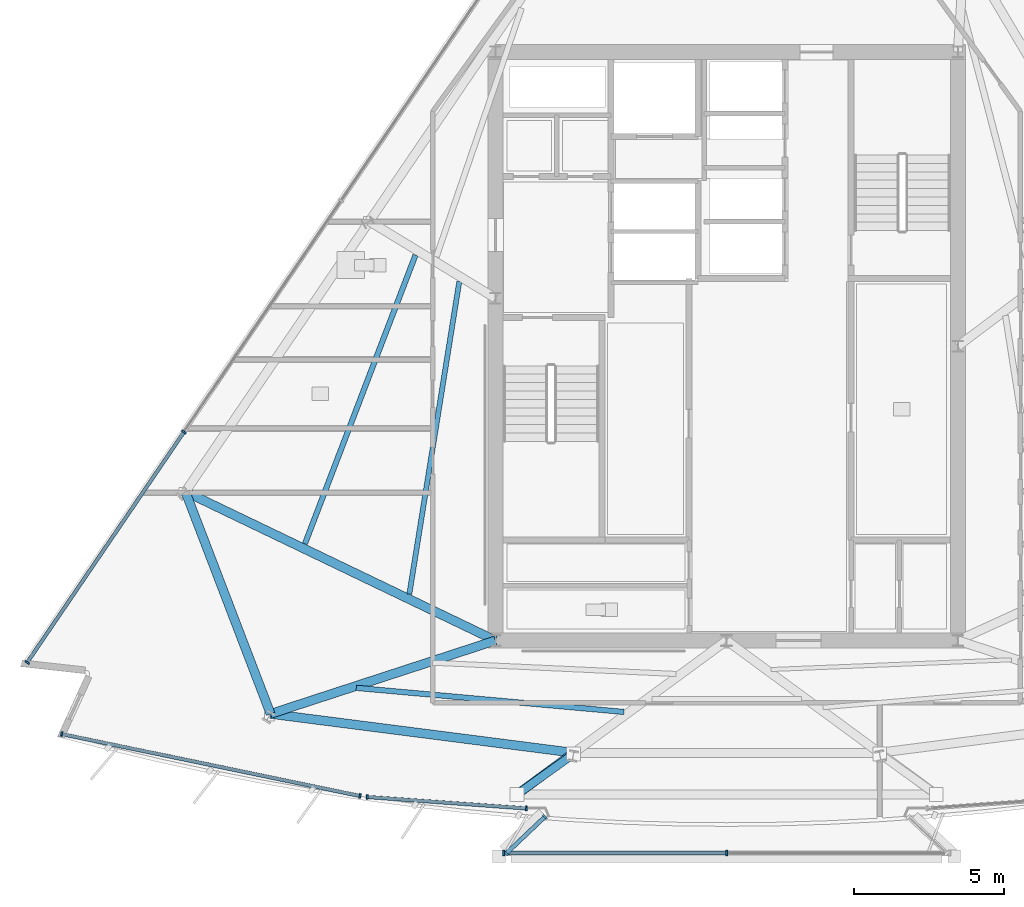
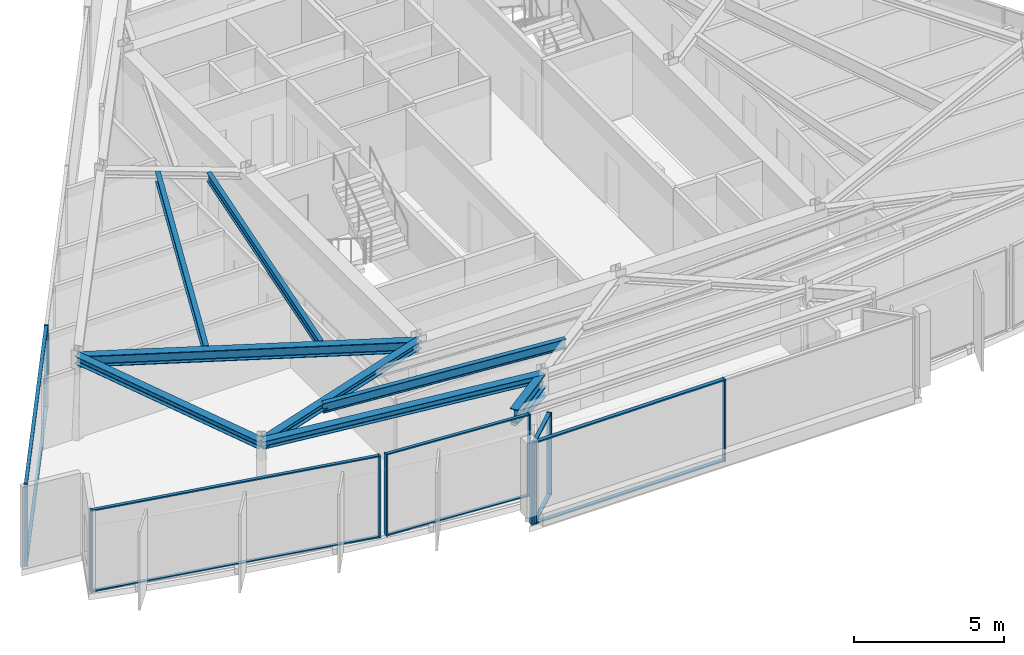
# One storey, part 2 of 13: 21 members, 8 beams, 5 elements without a shape of their own.
"""IFC4 building model written with IfcOpenShell, lengths in metres."""

from ifc_helpers import new_model, si_unit, direction, frame, origin, origin_2d, place, context, subcontext, project, spatial, rectangle, hollow_circle, i_section, extrude, material, material_profile, profile_set, type_object, element, aggregate, save


model = new_model("IFC4")

# Units and contexts
model_context = context("Model", 3, precision=1e-05, world=origin(), true_north=direction((0.0, 1.0)))
body_context = subcontext(model_context, "Body", "Model", "MODEL_VIEW")
ifc_project = project(units=[si_unit("LENGTHUNIT", "METRE"), si_unit("AREAUNIT", "SQUARE_METRE"), si_unit("VOLUMEUNIT", "CUBIC_METRE"), si_unit("PLANEANGLEUNIT", "RADIAN"), si_unit("MASSUNIT", "GRAM", prefix="KILO")], contexts=[model_context])

# Site, building, storey
site_placement = place(None, origin())
site = spatial("IfcSite", under=ifc_project, at=site_placement, CompositionType="ELEMENT")
building_placement = place(site_placement, origin())
building = spatial("IfcBuilding", under=site, at=building_placement, Name="Savorim Split Tower", CompositionType="ELEMENT")
storey_placement = place(building_placement, frame((0.0, 0.0, 283.199951171875)))
storey = spatial("IfcBuildingStorey", under=building, at=storey_placement, Name="L75", CompositionType="ELEMENT", Elevation=283.199951171875)

# Beams
ifc_material_1 = material(Name="Steel S355", Category="steel")
ifc_material_profile_1 = material_profile(ifc_material_1, i_section(OverallWidth=0.169921875, OverallDepth=0.360107421875, WebThickness=0.008056640625, FlangeThickness=0.0126953125, FilletRadius=0.01806640625, at=origin_2d()), Name="IPE 360")
ifc_profile_set_1 = profile_set([ifc_material_profile_1], Name="Steel S355")
beam_type_1 = type_object("IfcBeamType", Name="BM-JST-IPE360", PredefinedType="JOIST", material=ifc_profile_set_1)
beam_1_placement = place(storey_placement, frame((-8.900634765625, 2.558349609375, 3.170166015625), z_axis=(-0.157809898926, -0.987469511327, 0.0), x_axis=(0.987469511327, -0.157809898926, 0.0)))
element("IfcBeam", 1, at=beam_1_placement, inside=storey, type_object=beam_type_1, Name="L75 Secondary Floor Joist JS-11", PredefinedType="JOIST", context=body_context, shape_type="SweptSolid", body=[
    extrude(i_section(OverallWidth=0.169921875, OverallDepth=0.360107421875, WebThickness=0.008056640625, FlangeThickness=0.0126953125, FilletRadius=0.01806640625, at=origin_2d()), origin(), (0.0, 0.0, 1.0), 10.544677734375),
])
ifc_material_profile_2 = material_profile(ifc_material_1, i_section(OverallWidth=0.179931640625, OverallDepth=0.39990234375, WebThickness=0.008544921875, FlangeThickness=0.013427734375, FilletRadius=0.02099609375, at=origin_2d()), Name="IPE 400")
ifc_profile_set_2 = profile_set([ifc_material_profile_2], Name="Steel S355")
beam_type_2 = type_object("IfcBeamType", Name="BM-JST-IPE400", PredefinedType="JOIST", material=ifc_profile_set_2)
beam_2_placement = place(storey_placement, frame((-12.3310546875, -10.977294921875, 3.150146484375), z_axis=(0.995987237786, -0.089495375121, 0.0), x_axis=(0.089495375121, 0.995987237786, 0.0)))
element("IfcBeam", 2, at=beam_2_placement, inside=storey, type_object=beam_type_2, Name="L75 Secondary Floor Joist JS-01", PredefinedType="JOIST", context=body_context, shape_type="SweptSolid", body=[
    extrude(i_section(OverallWidth=0.179931640625, OverallDepth=0.39990234375, WebThickness=0.008544921875, FlangeThickness=0.013427734375, FilletRadius=0.02099609375, at=origin_2d()), origin(), (0.0, 0.0, 1.0), 8.950439453125),
])
beam_3_placement = place(storey_placement, frame((-10.359619140625, 3.436767578125, 3.150146484375), z_axis=(-0.357658266342, -0.933852538957, 0.0), x_axis=(0.933852538957, -0.357658266342, 0.0)))
element("IfcBeam", 3, at=beam_3_placement, inside=storey, type_object=beam_type_2, Name="L75 Secondary Floor Joist JS-10", PredefinedType="JOIST", context=body_context, shape_type="SweptSolid", body=[
    extrude(i_section(OverallWidth=0.179931640625, OverallDepth=0.39990234375, WebThickness=0.008544921875, FlangeThickness=0.013427734375, FilletRadius=0.02099609375, at=origin_2d()), origin(), (0.0, 0.0, 1.0), 10.2958984375),
])
ifc_material_profile_3 = material_profile(ifc_material_1, i_section(OverallWidth=0.300048828125, OverallDepth=0.300048828125, WebThickness=0.010986328125, FlangeThickness=0.01904296875, FilletRadius=0.027099609375, at=origin_2d()), Name="HEB 300")
ifc_profile_set_3 = profile_set([ifc_material_profile_3], Name="Steel S355")
beam_type_3 = type_object("IfcBeamType", Name="BM-PRI-HEB300", PredefinedType="BEAM", material=ifc_profile_set_3)
beam_4_placement = place(storey_placement, frame((-15.185302734375, -11.842041015625, 3.199951171875), z_axis=(0.950682542685, 0.310165605821, 0.0), x_axis=(-0.310165605821, 0.950682542685, 0.0)))
element("IfcBeam", 4, at=beam_4_placement, inside=storey, type_object=beam_type_3, Name="L75 Primary Floor Girder RG-01", PredefinedType="BEAM", context=body_context, shape_type="SweptSolid", body=[
    extrude(i_section(OverallWidth=0.300048828125, OverallDepth=0.300048828125, WebThickness=0.010986328125, FlangeThickness=0.01904296875, FilletRadius=0.027099609375, at=origin_2d()), origin(), (0.0, 0.0, 1.0), 7.873779296875),
])
ifc_material_profile_4 = material_profile(ifc_material_1, i_section(OverallWidth=0.300048828125, OverallDepth=0.449951171875, WebThickness=0.013916015625, FlangeThickness=0.02587890625, FilletRadius=0.027099609375, at=origin_2d()), Name="HEB 450")
ifc_profile_set_4 = profile_set([ifc_material_profile_4], Name="Steel S355")
beam_type_4 = type_object("IfcBeamType", Name="BM-PRI-HEB450", PredefinedType="BEAM", material=ifc_profile_set_4)
beam_5_placement = place(storey_placement, frame((-18.021484375, -4.444091796875, 3.125), z_axis=(0.901472807841, -0.432835738732, 0.0), x_axis=(0.432835738732, 0.901472807841, 0.0)))
element("IfcBeam", 5, at=beam_5_placement, inside=storey, type_object=beam_type_4, Name="L75 Primary Floor Girder RG-10", PredefinedType="BEAM", context=body_context, shape_type="SweptSolid", body=[
    extrude(i_section(OverallWidth=0.300048828125, OverallDepth=0.449951171875, WebThickness=0.013916015625, FlangeThickness=0.02587890625, FilletRadius=0.027099609375, at=origin_2d()), origin(), (0.0, 0.0, 1.0), 11.44970703125),
])
ifc_material_profile_5 = material_profile(ifc_material_1, i_section(OverallWidth=0.300048828125, OverallDepth=0.550048828125, WebThickness=0.014892578125, FlangeThickness=0.029052734375, FilletRadius=0.027099609375, at=origin_2d()), Name="HEB 550")
ifc_profile_set_5 = profile_set([ifc_material_profile_5], Name="Steel S355")
beam_type_5 = type_object("IfcBeamType", Name="BM-PRI-HEB550", PredefinedType="BEAM", material=ifc_profile_set_5)
beam_6_placement = place(storey_placement, frame((-5.08935546875, -13.138427734375, 3.074951171875), z_axis=(-0.805968804332, -0.59195801071, 0.0), x_axis=(0.59195801071, -0.805968804332, 0.0)))
element("IfcBeam", 6, at=beam_6_placement, inside=storey, type_object=beam_type_5, Name="L75 Cantilevered Lounge Rib 1", PredefinedType="BEAM", context=body_context, shape_type="SweptSolid", body=[
    extrude(i_section(OverallWidth=0.300048828125, OverallDepth=0.550048828125, WebThickness=0.014892578125, FlangeThickness=0.029052734375, FilletRadius=0.027099609375, at=origin_2d()), origin(), (0.0, 0.0, 1.0), 2.35009765625),
])
ifc_material_profile_6 = material_profile(ifc_material_1, i_section(OverallWidth=0.300048828125, OverallDepth=0.31005859375, WebThickness=0.009033203125, FlangeThickness=0.015380859375, FilletRadius=0.027099609375, at=origin_2d()), Name="HEA 320")
ifc_profile_set_6 = profile_set([ifc_material_profile_6], Name="Steel S355")
beam_type_6 = type_object("IfcBeamType", Name="BM-SPN-HEA320", PredefinedType="SPANDREL", material=ifc_profile_set_6)
beam_7_placement = place(storey_placement, frame((-15.185302734375, -11.842041015625, 3.195068359375), z_axis=(0.991856434449, -0.127360957293, 0.0), x_axis=(0.127360957293, 0.991856434449, 0.0)))
element("IfcBeam", 7, at=beam_7_placement, inside=storey, type_object=beam_type_6, Name="L75 Perimeter Spandrel Beam 1", PredefinedType="SPANDREL", context=body_context, shape_type="SweptSolid", body=[
    extrude(i_section(OverallWidth=0.300048828125, OverallDepth=0.31005859375, WebThickness=0.009033203125, FlangeThickness=0.015380859375, FilletRadius=0.027099609375, at=origin_2d()), origin(), (0.0, 0.0, 1.0), 10.178955078125),
])
beam_8_placement = place(storey_placement, frame((-18.021484375, -4.444091796875, 3.195068359375), z_axis=(0.357969146615, -0.933733414885, 0.0), x_axis=(0.933733414885, 0.357969146615, 0.0)))
element("IfcBeam", 8, at=beam_8_placement, inside=storey, type_object=beam_type_6, Name="L75 Perimeter Spandrel Beam 10", PredefinedType="SPANDREL", context=body_context, shape_type="SweptSolid", body=[
    extrude(i_section(OverallWidth=0.300048828125, OverallDepth=0.31005859375, WebThickness=0.009033203125, FlangeThickness=0.015380859375, FilletRadius=0.027099609375, at=origin_2d()), origin(), (0.0, 0.0, 1.0), 7.923095703125),
])

# Curtain wall, members
ifc_material_2 = material(Name="Dark Ceramic-Fritted Insulated Glass", Category="glass")
curtain_wall_type_1 = type_object("IfcCurtainWallType", Name="CW-TWR-FRIT-B", PredefinedType="NOTDEFINED", material=ifc_material_2)
curtain_wall_1_placement = place(storey_placement, origin())
curtain_wall_1 = element("IfcCurtainWall", 9, at=curtain_wall_1_placement, inside=storey, type_object=curtain_wall_type_1, Name="L75 Curtain Wall CW-L75-SF1A", PredefinedType="NOTDEFINED")
ifc_material_3 = material(Name="Charcoal Anodised Aluminium", Category="aluminium")
ifc_material_profile_7 = material_profile(ifc_material_3, rectangle(XDim=0.159912109375, YDim=0.06005859375, at=origin_2d()), Name="ALU-M 160x60")
ifc_profile_set_7 = profile_set([ifc_material_profile_7], Name="Charcoal Anodised Aluminium")
member_type_1 = type_object("IfcMemberType", Name="CWM-160x60", PredefinedType="MULLION", material=ifc_profile_set_7)
member_1_placement = place(storey_placement, frame((-22.142333984375, -12.514892578125, 0.0), z_axis=(0.0, 0.0, 1.0), x_axis=(0.203215038861, 0.979134131762, 0.0)))
member_1 = element("IfcMember", 10, at=member_1_placement, type_object=member_type_1, Name="CW-03 mullion 1", PredefinedType="MULLION", context=body_context, shape_type="SweptSolid", body=[
    extrude(rectangle(XDim=0.159912109375, YDim=0.06005859375, at=origin_2d()), origin(), (0.0, 0.0, 1.0), 3.35009765625),
])
member_2_placement = place(storey_placement, frame((-12.20849609375, -14.57666015625, 0.0), z_axis=(0.0, 0.0, 1.0), x_axis=(0.203215038861, 0.979134131762, 0.0)))
member_2 = element("IfcMember", 11, at=member_2_placement, type_object=member_type_1, Name="CW-03 mullion 2", PredefinedType="MULLION", context=body_context, shape_type="SweptSolid", body=[
    extrude(rectangle(XDim=0.159912109375, YDim=0.06005859375, at=origin_2d()), origin(), (0.0, 0.0, 1.0), 3.35009765625),
])

curtain_wall_2_placement = place(storey_placement, origin())
curtain_wall_2 = element("IfcCurtainWall", 12, at=curtain_wall_2_placement, inside=storey, type_object=curtain_wall_type_1, Name="L75 Curtain Wall CW-L75-SF2A", PredefinedType="NOTDEFINED")
member_3_placement = place(storey_placement, frame((-11.967529296875, -14.610107421875, 0.0), z_axis=(0.0, 0.0, 1.0), x_axis=(0.071549884359, 0.997437022598, 0.0)))
member_3 = element("IfcMember", 13, at=member_3_placement, type_object=member_type_1, Name="CW-03 mullion 1", PredefinedType="MULLION", context=body_context, shape_type="SweptSolid", body=[
    extrude(rectangle(XDim=0.159912109375, YDim=0.06005859375, at=origin_2d()), origin(), (0.0, 0.0, 1.0), 3.35009765625),
])
member_4_placement = place(storey_placement, frame((-6.667236328125, -14.990234375, 0.0), z_axis=(0.0, 0.0, 1.0), x_axis=(0.071549884359, 0.997437022598, 0.0)))
member_4 = element("IfcMember", 14, at=member_4_placement, type_object=member_type_1, Name="CW-03 mullion 2", PredefinedType="MULLION", context=body_context, shape_type="SweptSolid", body=[
    extrude(rectangle(XDim=0.159912109375, YDim=0.06005859375, at=origin_2d()), origin(), (0.0, 0.0, 1.0), 3.35009765625),
])

curtain_wall_3_placement = place(storey_placement, origin())
curtain_wall_3 = element("IfcCurtainWall", 15, at=curtain_wall_3_placement, inside=storey, type_object=curtain_wall_type_1, Name="L75 Curtain Wall CW-L75-WEST", PredefinedType="NOTDEFINED")
member_5_placement = place(storey_placement, frame((-18.0693359375, -2.455078125, 0.0), z_axis=(0.0, 0.0, 1.0), x_axis=(0.826817636776, -0.562470084107, 0.0)))
member_5 = element("IfcMember", 16, at=member_5_placement, type_object=member_type_1, Name="CW-03 mullion 3", PredefinedType="MULLION", context=body_context, shape_type="SweptSolid", body=[
    extrude(rectangle(XDim=0.159912109375, YDim=0.06005859375, at=origin_2d()), origin(), (0.0, 0.0, 1.0), 3.35009765625),
])
member_6_placement = place(storey_placement, frame((-23.29052734375, -10.130126953125, 0.0), z_axis=(0.0, 0.0, 1.0), x_axis=(0.826817636776, -0.562470084107, 0.0)))
member_6 = element("IfcMember", 17, at=member_6_placement, type_object=member_type_1, Name="CW-03 mullion 4", PredefinedType="MULLION", context=body_context, shape_type="SweptSolid", body=[
    extrude(rectangle(XDim=0.159912109375, YDim=0.06005859375, at=origin_2d()), origin(), (0.0, 0.0, 1.0), 3.35009765625),
])

curtain_wall_type_2 = type_object("IfcCurtainWallType", Name="CW-BAY-LOUNGE", PredefinedType="NOTDEFINED", material=ifc_material_2)
curtain_wall_4_placement = place(storey_placement, origin())
curtain_wall_4 = element("IfcCurtainWall", 18, at=curtain_wall_4_placement, inside=storey, type_object=curtain_wall_type_2, Name="L75 Curtain Wall CW-L75-BAYF", PredefinedType="NOTDEFINED")
ifc_material_profile_8 = material_profile(ifc_material_3, rectangle(XDim=0.179931640625, YDim=0.06494140625, at=origin_2d()), Name="ALU-M 180x65")
ifc_profile_set_8 = profile_set([ifc_material_profile_8], Name="Charcoal Anodised Aluminium")
member_type_2 = type_object("IfcMemberType", Name="CWM-180x65", PredefinedType="MULLION", material=ifc_profile_set_8)
member_7_placement = place(storey_placement, frame((-7.426025390625, -16.4794921875, 0.0), z_axis=(0.0, 0.0, 1.0), x_axis=(0.0, 1.0, 0.0)))
member_7 = element("IfcMember", 19, at=member_7_placement, type_object=member_type_2, Name="CW-04 mullion 1", PredefinedType="MULLION", context=body_context, shape_type="SweptSolid", body=[
    extrude(rectangle(XDim=0.179931640625, YDim=0.06494140625, at=origin_2d()), origin(), (0.0, 0.0, 1.0), 3.35009765625),
])
member_8_placement = place(storey_placement, frame((0.0, -16.4794921875, 0.0), z_axis=(0.0, 0.0, 1.0), x_axis=(0.0, 1.0, 0.0)))
member_8 = element("IfcMember", 20, at=member_8_placement, type_object=member_type_2, Name="CW-04 mullion 2", PredefinedType="MULLION", context=body_context, shape_type="SweptSolid", body=[
    extrude(rectangle(XDim=0.179931640625, YDim=0.06494140625, at=origin_2d()), origin(), (0.0, 0.0, 1.0), 3.35009765625),
])

curtain_wall_5_placement = place(storey_placement, origin())
curtain_wall_5 = element("IfcCurtainWall", 21, at=curtain_wall_5_placement, inside=storey, type_object=curtain_wall_type_2, Name="L75 Curtain Wall CW-L75-BAYW", PredefinedType="NOTDEFINED")
member_9_placement = place(storey_placement, frame((-6.052490234375, -15.271484375, 0.0), z_axis=(0.0, 0.0, 1.0), x_axis=(0.68774767108, -0.725949819839, 0.0)))
member_9 = element("IfcMember", 22, at=member_9_placement, type_object=member_type_2, Name="CW-04 mullion 1", PredefinedType="MULLION", context=body_context, shape_type="SweptSolid", body=[
    extrude(rectangle(XDim=0.179931640625, YDim=0.06494140625, at=origin_2d()), origin(), (0.0, 0.0, 1.0), 3.35009765625),
])
member_10_placement = place(storey_placement, frame((-7.33740234375, -16.48876953125, 0.0), z_axis=(0.0, 0.0, 1.0), x_axis=(0.68774767108, -0.725949819839, 0.0)))
member_10 = element("IfcMember", 23, at=member_10_placement, type_object=member_type_2, Name="CW-04 mullion 2", PredefinedType="MULLION", context=body_context, shape_type="SweptSolid", body=[
    extrude(rectangle(XDim=0.179931640625, YDim=0.06494140625, at=origin_2d()), origin(), (0.0, 0.0, 1.0), 3.35009765625),
])

# Member
ifc_material_profile_9 = material_profile(ifc_material_3, rectangle(XDim=0.1201171875, YDim=0.050048828125, at=origin_2d()), Name="ALU-T 120x50")
ifc_profile_set_9 = profile_set([ifc_material_profile_9], Name="Charcoal Anodised Aluminium")
member_type_3 = type_object("IfcMemberType", Name="CWT-120x50", PredefinedType="USERDEFINED", material=ifc_profile_set_9)
member_11_placement = place(storey_placement, frame((-22.113037109375, -12.52099609375, 0.025146484375), z_axis=(0.9791332013, -0.203219521977, 0.0), x_axis=(0.203219521977, 0.9791332013, 0.0)))
member_11 = element("IfcMember", 24, at=member_11_placement, type_object=member_type_3, Name="CW-03 transom 1.1", ObjectType="TRANSOM", PredefinedType="USERDEFINED", context=body_context, shape_type="SweptSolid", body=[
    extrude(rectangle(XDim=0.1201171875, YDim=0.050048828125, at=origin_2d()), origin(), (0.0, 0.0, 1.0), 10.08544921875),
])

member_12_placement = place(storey_placement, frame((-22.113037109375, -12.52099609375, 3.324951171875), z_axis=(0.9791332013, -0.203219521977, 0.0), x_axis=(0.203219521977, 0.9791332013, 0.0)))
member_12 = element("IfcMember", 25, at=member_12_placement, type_object=member_type_3, Name="CW-03 transom 1.2", ObjectType="TRANSOM", PredefinedType="USERDEFINED", context=body_context, shape_type="SweptSolid", body=[
    extrude(rectangle(XDim=0.1201171875, YDim=0.050048828125, at=origin_2d()), origin(), (0.0, 0.0, 1.0), 10.08544921875),
])

aggregate(curtain_wall_1, [member_1, member_2, member_11, member_12])

member_13_placement = place(storey_placement, frame((-11.9375, -14.6123046875, 0.025146484375), z_axis=(0.997436004079, -0.071564081545, 0.0), x_axis=(0.071564081545, 0.997436004079, 0.0)))
member_13 = element("IfcMember", 26, at=member_13_placement, type_object=member_type_3, Name="CW-03 transom 1.1", ObjectType="TRANSOM", PredefinedType="USERDEFINED", context=body_context, shape_type="SweptSolid", body=[
    extrude(rectangle(XDim=0.1201171875, YDim=0.050048828125, at=origin_2d()), origin(), (0.0, 0.0, 1.0), 5.253662109375),
])

member_14_placement = place(storey_placement, frame((-11.9375, -14.6123046875, 3.324951171875), z_axis=(0.997436004079, -0.071564081545, 0.0), x_axis=(0.071564081545, 0.997436004079, 0.0)))
member_14 = element("IfcMember", 27, at=member_14_placement, type_object=member_type_3, Name="CW-03 transom 1.2", ObjectType="TRANSOM", PredefinedType="USERDEFINED", context=body_context, shape_type="SweptSolid", body=[
    extrude(rectangle(XDim=0.1201171875, YDim=0.050048828125, at=origin_2d()), origin(), (0.0, 0.0, 1.0), 5.253662109375),
])

aggregate(curtain_wall_2, [member_3, member_4, member_13, member_14])

member_15_placement = place(storey_placement, frame((-18.08642578125, -2.47998046875, 0.025146484375), z_axis=(-0.562452655361, -0.826829492989, 0.0), x_axis=(0.826829492989, -0.562452655361, 0.0)))
member_15 = element("IfcMember", 28, at=member_15_placement, type_object=member_type_3, Name="CW-03 transom 3.1", ObjectType="TRANSOM", PredefinedType="USERDEFINED", context=body_context, shape_type="SweptSolid", body=[
    extrude(rectangle(XDim=0.1201171875, YDim=0.050048828125, at=origin_2d()), origin(), (0.0, 0.0, 1.0), 9.22265625),
])

member_16_placement = place(storey_placement, frame((-18.08642578125, -2.47998046875, 3.324951171875), z_axis=(-0.562452655361, -0.826829492989, 0.0), x_axis=(0.826829492989, -0.562452655361, 0.0)))
member_16 = element("IfcMember", 29, at=member_16_placement, type_object=member_type_3, Name="CW-03 transom 3.2", ObjectType="TRANSOM", PredefinedType="USERDEFINED", context=body_context, shape_type="SweptSolid", body=[
    extrude(rectangle(XDim=0.1201171875, YDim=0.050048828125, at=origin_2d()), origin(), (0.0, 0.0, 1.0), 9.22265625),
])

aggregate(curtain_wall_3, [member_5, member_6, member_15, member_16])

ifc_material_profile_10 = material_profile(ifc_material_3, rectangle(XDim=0.139892578125, YDim=0.054931640625, at=origin_2d()), Name="ALU-T 140x55")
ifc_profile_set_10 = profile_set([ifc_material_profile_10], Name="Charcoal Anodised Aluminium")
member_type_4 = type_object("IfcMemberType", Name="CWT-140x55", PredefinedType="USERDEFINED", material=ifc_profile_set_10)
member_17_placement = place(storey_placement, frame((-7.3935546875, -16.4794921875, 0.027587890625), z_axis=(1.0, 0.0, 0.0), x_axis=(0.0, 1.0, 0.0)))
member_17 = element("IfcMember", 30, at=member_17_placement, type_object=member_type_4, Name="CW-04 transom 1.1", ObjectType="TRANSOM", PredefinedType="USERDEFINED", context=body_context, shape_type="SweptSolid", body=[
    extrude(rectangle(XDim=0.139892578125, YDim=0.054931640625, at=origin_2d()), origin(), (0.0, 0.0, 1.0), 7.361083984375),
])

member_18_placement = place(storey_placement, frame((-7.3935546875, -16.4794921875, 3.322509765625), z_axis=(1.0, 0.0, 0.0), x_axis=(0.0, 1.0, 0.0)))
member_18 = element("IfcMember", 31, at=member_18_placement, type_object=member_type_4, Name="CW-04 transom 1.2", ObjectType="TRANSOM", PredefinedType="USERDEFINED", context=body_context, shape_type="SweptSolid", body=[
    extrude(rectangle(XDim=0.139892578125, YDim=0.054931640625, at=origin_2d()), origin(), (0.0, 0.0, 1.0), 7.361083984375),
])

aggregate(curtain_wall_4, [member_7, member_8, member_17, member_18])

member_19_placement = place(storey_placement, frame((-6.076171875, -15.293701171875, 0.027587890625), z_axis=(-0.725896236465, -0.687804226424, 0.0), x_axis=(0.687804226424, -0.725896236465, 0.0)))
member_19 = element("IfcMember", 32, at=member_19_placement, type_object=member_type_4, Name="CW-04 transom 1.1", ObjectType="TRANSOM", PredefinedType="USERDEFINED", context=body_context, shape_type="SweptSolid", body=[
    extrude(rectangle(XDim=0.139892578125, YDim=0.054931640625, at=origin_2d()), origin(), (0.0, 0.0, 1.0), 1.704833984375),
])

member_20_placement = place(storey_placement, frame((-6.076171875, -15.293701171875, 3.322509765625), z_axis=(-0.725896236465, -0.687804226424, 0.0), x_axis=(0.687804226424, -0.725896236465, 0.0)))
member_20 = element("IfcMember", 33, at=member_20_placement, type_object=member_type_4, Name="CW-04 transom 1.2", ObjectType="TRANSOM", PredefinedType="USERDEFINED", context=body_context, shape_type="SweptSolid", body=[
    extrude(rectangle(XDim=0.139892578125, YDim=0.054931640625, at=origin_2d()), origin(), (0.0, 0.0, 1.0), 1.704833984375),
])

aggregate(curtain_wall_5, [member_9, member_10, member_19, member_20])

ifc_material_profile_11 = material_profile(ifc_material_1, hollow_circle(Radius=0.136474609375, WallThickness=0.01611328125, at=origin_2d()), Name="CHS 273x16")
ifc_profile_set_11 = profile_set([ifc_material_profile_11], Name="Steel S355")
member_type_5 = type_object("IfcMemberType", Name="MBR-CRN-CHS273", PredefinedType="BRACE", material=ifc_profile_set_11)
member_21_placement = place(storey_placement, frame((-5.097412109375, -13.1787109375, 2.449951171875), z_axis=(-0.802825589691, -0.57502058094, 0.1575512743), x_axis=(0.58229294937, -0.812979041005, 0.0)))
element("IfcMember", 34, at=member_21_placement, inside=storey, type_object=member_type_5, Name="L75 Cantilevered Bay Support Strut 1", PredefinedType="BRACE", context=body_context, shape_type="SweptSolid", body=[
    extrude(hollow_circle(Radius=0.136474609375, WallThickness=0.01611328125, at=origin_2d()), origin(), (0.0, 0.0, 1.0), 2.34912109375),
])

save(model, "model.ifc")
